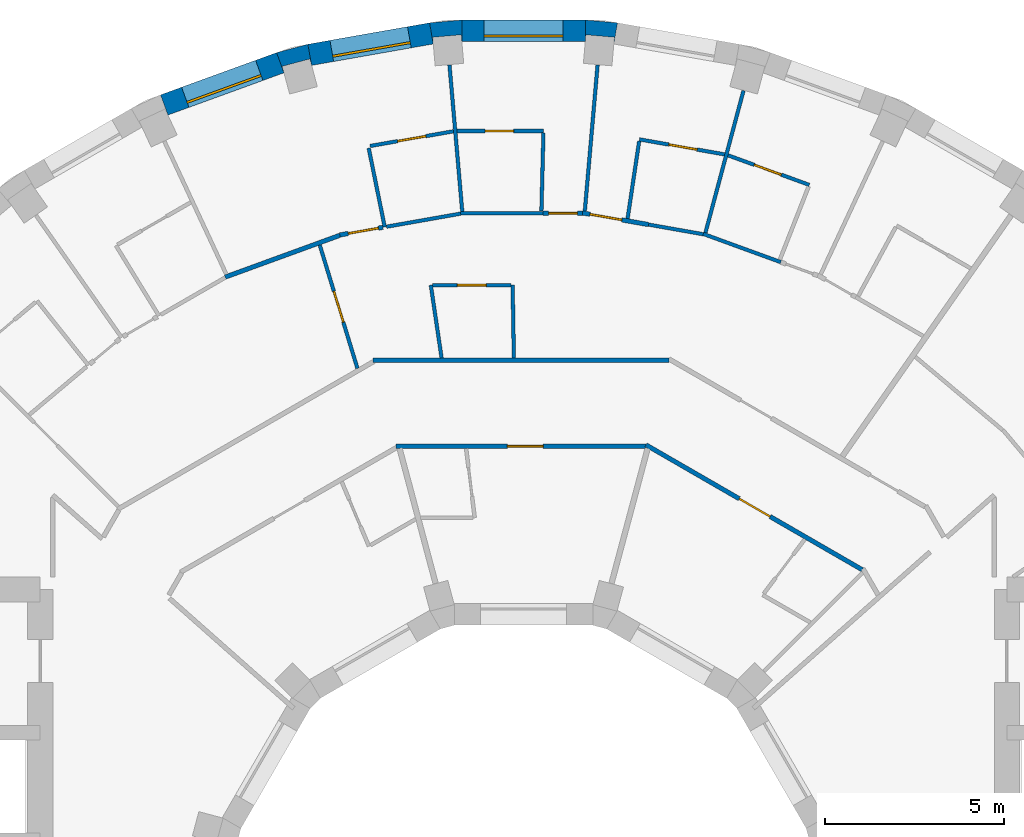
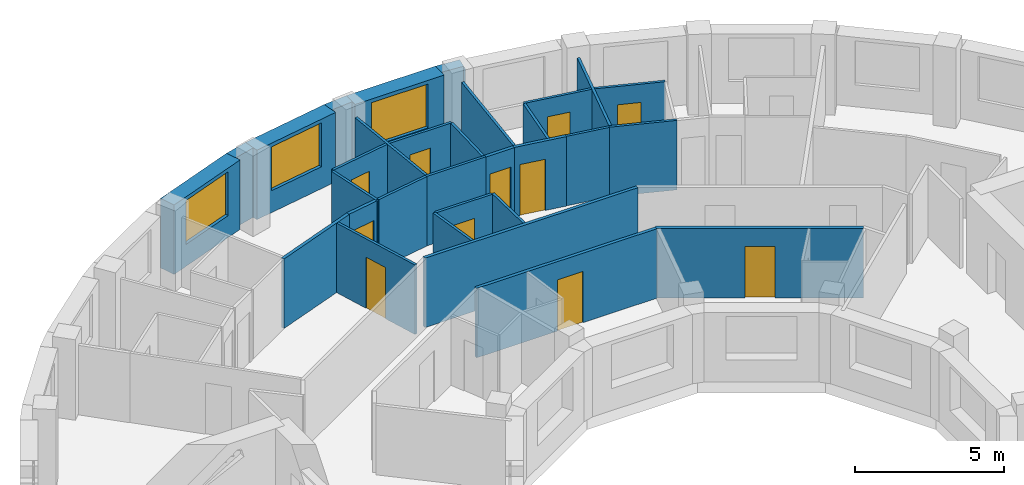
# One storey, part 12 of 15: 31 walls, 11 doors, 3 windows, 14 openings.
"""IFC4 building model written with IfcOpenShell, lengths in metres."""

from ifc_helpers import new_model, si_unit, direction, frame, frame_2d, origin, place, context, subcontext, project, spatial, polyline, rectangle, outline, extrude, material, layer, layer_set, type_object, element, fill, save


model = new_model("IFC4")

# Units and contexts
model_context = context("Model", 3, precision=1e-05, world=origin(), true_north=direction((0.0, 1.0)))
body_context = subcontext(model_context, "Body", "Model", "MODEL_VIEW")
ifc_project = project(units=[si_unit("LENGTHUNIT", "METRE"), si_unit("AREAUNIT", "SQUARE_METRE"), si_unit("VOLUMEUNIT", "CUBIC_METRE"), si_unit("PLANEANGLEUNIT", "RADIAN"), si_unit("MASSUNIT", "GRAM", prefix="KILO")], contexts=[model_context])

# Site, building, storey
site_placement = place(None, origin())
site = spatial("IfcSite", under=ifc_project, at=site_placement, CompositionType="ELEMENT")
building_placement = place(site_placement, origin())
building = spatial("IfcBuilding", under=site, at=building_placement, Name="Saqina Gate Tower", CompositionType="ELEMENT")
storey_placement = place(building_placement, frame((0.0, 0.0, 160.800048828125)))
storey = spatial("IfcBuildingStorey", under=building, at=storey_placement, Name="L45", CompositionType="ELEMENT", Elevation=160.800048828125)

# Walls
ifc_material_1 = material(Name="Brick masonry (buff)", Category="masonry")
wall_type_1 = type_object("IfcWallType", Name="BRICK PIER COPING BUFF", PredefinedType="SOLIDWALL", material=ifc_material_1)
wall_1_placement = place(storey_placement, origin())
element("IfcWall", 1, at=wall_1_placement, inside=storey, type_object=wall_type_1, Name="Pier cap L45 column 9", PredefinedType="SOLIDWALL", context=body_context, shape_type="SweptSolid", body=[
    extrude(outline(polyline([(2.6259765625, 24.825927734375), (1.724853515625, 24.90478515625), (1.724853515625, 24.304931640625), (1.7412109375, 24.491455078125), (2.5380859375, 24.421630859375), (2.521728515625, 24.235107421875), (2.6259765625, 24.825927734375)])), origin(), (0.0, 0.0, 1.0), 2.849853515625),
])
wall_2_placement = place(storey_placement, origin())
element("IfcWall", 2, at=wall_2_placement, inside=storey, type_object=wall_type_1, Name="Pier cap L45 column 10", PredefinedType="SOLIDWALL", context=body_context, shape_type="SweptSolid", body=[
    extrude(outline(polyline([(-1.724853515625, 24.90478515625), (-2.6259765625, 24.825927734375), (-2.521728515625, 24.235107421875), (-2.5380859375, 24.421630859375), (-1.7412109375, 24.491455078125), (-1.724853515625, 24.304931640625), (-1.724853515625, 24.90478515625)])), origin(), (0.0, 0.0, 1.0), 2.849853515625),
])
wall_3_placement = place(storey_placement, origin())
element("IfcWall", 3, at=wall_3_placement, inside=storey, type_object=wall_type_1, Name="Pier cap L45 column 11", PredefinedType="SOLIDWALL", context=body_context, shape_type="SweptSolid", body=[
    extrude(outline(polyline([(-6.0234375, 24.22705078125), (-6.897216796875, 23.992919921875), (-6.69189453125, 23.428955078125), (-6.740478515625, 23.610107421875), (-5.967529296875, 23.81689453125), (-5.919189453125, 23.635986328125), (-6.0234375, 24.22705078125)])), origin(), (0.0, 0.0, 1.0), 2.849853515625),
])

# Wall, opening, window
ifc_material_2 = material(Name="Brick masonry (buff)", Category="masonry")
ifc_layer_1 = layer(ifc_material_2, 0.60009765625)
ifc_layer_set_1 = layer_set([ifc_layer_1], Name="FW-BRICK-BUFF")
wall_type_2 = type_object("IfcWallType", Name="FW-BRICK-BUFF", PredefinedType="SOLIDWALL", material=ifc_layer_set_1)
wall_4_placement = place(storey_placement, frame((1.724853515625, 24.60498046875, 0.0), z_axis=(0.0, 0.0, 1.0), x_axis=(-1.0, 0.0, 0.0)))
wall_4 = element("IfcWall", 4, at=wall_4_placement, inside=storey, type_object=wall_type_2, Name="Facade wall L45 facet 9", PredefinedType="SOLIDWALL", context=body_context, shape_type="SweptSolid", body=[
    extrude(rectangle(XDim=3.44970703125, YDim=0.60009765625, at=frame_2d((1.724853515625, 0.0))), origin(), (0.0, 0.0, 1.0), 2.849853515625),
])
opening_1_placement = place(wall_4_placement, frame((0.625, 0.0, 0.89990234375)))
opening_1 = element("IfcOpeningElement", 5, at=opening_1_placement, cuts=wall_4, Name="Opening G13-W07", PredefinedType="OPENING", context=body_context, shape_type="SweptSolid", body=[
    extrude(rectangle(XDim=2.199951171875, YDim=1.800048828125, at=frame_2d((1.10009765625, 0.89990234375))), frame((0.0, 0.31201171875, 0.0), z_axis=(0.0, -1.0, 0.0), x_axis=(1.0, 0.0, 0.0)), (0.0, 0.0, 1.0), 0.6240234375),
])
ifc_material_3 = material(Name="Aluminium glazing", Category="aluminium")
window_type = type_object("IfcWindowType", Name="WN-C", PartitioningType="SINGLE_PANEL", PredefinedType="WINDOW", material=ifc_material_3)
window_1_placement = place(opening_1_placement, origin())
window_1 = element("IfcWindow", 6, at=window_1_placement, inside=storey, type_object=window_type, Name="Window L45 facet 9", OverallHeight=1.800048828125, OverallWidth=2.199951171875, PartitioningType="SINGLE_PANEL", PredefinedType="WINDOW", context=body_context, shape_type="SweptSolid", body=[
    extrude(rectangle(XDim=2.199951171875, YDim=1.800048828125, at=frame_2d((1.10009765625, 0.89990234375))), frame((0.0, 0.179931640625, 0.0), z_axis=(0.0, -1.0, 0.0), x_axis=(1.0, 0.0, 0.0)), (0.0, 0.0, 1.0), 0.06005859375),
])
fill(opening_1, window_1)

wall_5_placement = place(storey_placement, frame((-2.573974609375, 24.530517578125, 0.0), z_axis=(0.0, 0.0, 1.0), x_axis=(-0.984814892183, -0.173607684551, 0.0)))
wall_5 = element("IfcWall", 7, at=wall_5_placement, inside=storey, type_object=wall_type_2, Name="Facade wall L45 facet 10", PredefinedType="SOLIDWALL", context=body_context, shape_type="SweptSolid", body=[
    extrude(rectangle(XDim=3.44970703125, YDim=0.60009765625, at=frame_2d((1.724853515625, 0.0))), origin(), (0.0, 0.0, 1.0), 2.849853515625),
])
opening_2_placement = place(wall_5_placement, frame((0.625, 0.0, 0.89990234375)))
opening_2 = element("IfcOpeningElement", 8, at=opening_2_placement, cuts=wall_5, Name="Opening G13-W08", PredefinedType="OPENING", context=body_context, shape_type="SweptSolid", body=[
    extrude(rectangle(XDim=2.199951171875, YDim=1.800048828125, at=frame_2d((1.10009765625, 0.89990234375))), frame((0.0, 0.31201171875, 0.0), z_axis=(0.0, -1.0, 0.0), x_axis=(1.0, 0.0, 0.0)), (0.0, 0.0, 1.0), 0.6240234375),
])
window_2_placement = place(opening_2_placement, origin())
window_2 = element("IfcWindow", 9, at=window_2_placement, inside=storey, type_object=window_type, Name="Window L45 facet 10", OverallHeight=1.800048828125, OverallWidth=2.199951171875, PartitioningType="SINGLE_PANEL", PredefinedType="WINDOW", context=body_context, shape_type="SweptSolid", body=[
    extrude(rectangle(XDim=2.199951171875, YDim=1.800048828125, at=frame_2d((1.10009765625, 0.89990234375))), frame((0.0, 0.179931640625, 0.0), z_axis=(0.0, -1.0, 0.0), x_axis=(1.0, 0.0, 0.0)), (0.0, 0.0, 1.0), 0.06005859375),
])
fill(opening_2, window_2)

wall_6_placement = place(storey_placement, frame((-6.79443359375, 23.7109375, 0.0), z_axis=(0.0, 0.0, 1.0), x_axis=(-0.93968799822, -0.342032843455, 0.0)))
wall_6 = element("IfcWall", 10, at=wall_6_placement, inside=storey, type_object=wall_type_2, Name="Facade wall L45 facet 11", PredefinedType="SOLIDWALL", context=body_context, shape_type="SweptSolid", body=[
    extrude(rectangle(XDim=3.44970703125, YDim=0.60009765625, at=frame_2d((1.724853515625, 0.0))), origin(), (0.0, 0.0, 1.0), 2.849853515625),
])
opening_3_placement = place(wall_6_placement, frame((0.625, 0.0, 0.89990234375)))
opening_3 = element("IfcOpeningElement", 11, at=opening_3_placement, cuts=wall_6, Name="Opening G13-W09", PredefinedType="OPENING", context=body_context, shape_type="SweptSolid", body=[
    extrude(rectangle(XDim=2.199951171875, YDim=1.800048828125, at=frame_2d((1.10009765625, 0.89990234375))), frame((0.0, 0.31201171875, 0.0), z_axis=(0.0, -1.0, 0.0), x_axis=(1.0, 0.0, 0.0)), (0.0, 0.0, 1.0), 0.6240234375),
])
window_3_placement = place(opening_3_placement, origin())
window_3 = element("IfcWindow", 12, at=window_3_placement, inside=storey, type_object=window_type, Name="Window L45 facet 11", OverallHeight=1.800048828125, OverallWidth=2.199951171875, PartitioningType="SINGLE_PANEL", PredefinedType="WINDOW", context=body_context, shape_type="SweptSolid", body=[
    extrude(rectangle(XDim=2.199951171875, YDim=1.800048828125, at=frame_2d((1.10009765625, 0.89990234375))), frame((0.0, 0.179931640625, 0.0), z_axis=(0.0, -1.0, 0.0), x_axis=(1.0, 0.0, 0.0)), (0.0, 0.0, 1.0), 0.06005859375),
])
fill(opening_3, window_3)

# Walls
ifc_material_4 = material(Name="Gypsum board on steel studs, 100 mm", Category="steel")
ifc_layer_2 = layer(ifc_material_4, 0.10009765625)
ifc_layer_set_2 = layer_set([ifc_layer_2], Name="PARTITION 100")
wall_type_3 = type_object("IfcWallType", Name="PARTITION 100", PredefinedType="PARTITIONING", material=ifc_layer_set_2)
wall_7_placement = place(storey_placement, frame((-0.304931640625, 17.5, 0.0), z_axis=(0.0, 0.0, 1.0), x_axis=(0.017131441911, -0.999853246081, 0.0)))
element("IfcWall", 13, at=wall_7_placement, inside=storey, type_object=wall_type_3, Name="PARTITION PW3-01", PredefinedType="PARTITIONING", context=body_context, shape_type="SweptSolid", body=[
    extrude(rectangle(XDim=2.037841796875, YDim=0.10009765625, at=frame_2d((1.01904296875, 0.0))), origin(), (0.0, 0.0, 1.0), 2.849853515625),
])
wall_8_placement = place(storey_placement, frame((-2.06884765625, 23.649658203125, 0.0), z_axis=(0.0, 0.0, 1.0), x_axis=(0.086893599578, -0.996217597893, 0.0)))
element("IfcWall", 14, at=wall_8_placement, inside=storey, type_object=wall_type_3, Name="PARTITION PW3-03", PredefinedType="PARTITIONING", context=body_context, shape_type="SweptSolid", body=[
    extrude(rectangle(XDim=4.110595703125, YDim=0.10009765625, at=frame_2d((2.05517578125, 0.0))), origin(), (0.0, 0.0, 1.0), 2.849853515625),
])
wall_9_placement = place(storey_placement, frame((-2.590087890625, 17.5, 0.0), z_axis=(0.0, 0.0, 1.0), x_axis=(0.146578722253, -0.989199008381, 0.0)))
element("IfcWall", 15, at=wall_9_placement, inside=storey, type_object=wall_type_3, Name="PARTITION PW3-05", PredefinedType="PARTITIONING", context=body_context, shape_type="SweptSolid", body=[
    extrude(rectangle(XDim=2.060302734375, YDim=0.10009765625, at=frame_2d((1.0302734375, 0.0))), origin(), (0.0, 0.0, 1.0), 2.849853515625),
])
wall_10_placement = place(storey_placement, frame((-4.324951171875, 21.326904296875, 0.0), z_axis=(0.0, 0.0, 1.0), x_axis=(0.199120171805, -0.979975079877, 0.0)))
element("IfcWall", 16, at=wall_10_placement, inside=storey, type_object=wall_type_3, Name="PARTITION PW3-06", PredefinedType="PARTITIONING", context=body_context, shape_type="SweptSolid", body=[
    extrude(rectangle(XDim=2.25, YDim=0.10009765625, at=frame_2d((1.125, 0.0))), origin(), (0.0, 0.0, 1.0), 2.849853515625),
])

# Wall, opening, door
wall_11_placement = place(storey_placement, frame((-5.691650390625, 18.6181640625, 0.0), z_axis=(0.0, 0.0, 1.0), x_axis=(0.292189255633, -0.956360517218, 0.0)))
wall_11 = element("IfcWall", 17, at=wall_11_placement, inside=storey, type_object=wall_type_3, Name="PARTITION PW3-07", PredefinedType="PARTITIONING", context=body_context, shape_type="SweptSolid", body=[
    extrude(rectangle(XDim=3.601318359375, YDim=0.10009765625, at=frame_2d((1.80078125, 0.0))), origin(), (0.0, 0.0, 1.0), 2.849853515625),
])
opening_4_placement = place(wall_11_placement, frame((1.350830078125, 0.0, 0.0)))
opening_4 = element("IfcOpeningElement", 18, at=opening_4_placement, cuts=wall_11, Name="Opening G13-D19", PredefinedType="OPENING", context=body_context, shape_type="SweptSolid", body=[
    extrude(rectangle(XDim=0.89990234375, YDim=2.10009765625, at=frame_2d((0.449951171875, 1.050048828125))), frame((0.0, 0.06201171875, 0.0), z_axis=(0.0, -1.0, 0.0), x_axis=(1.0, 0.0, 0.0)), (0.0, 0.0, 1.0), 0.1240234375),
])
ifc_material_5 = material(Name="Timber door leaf, 900 mm", Category="wood")
door_type_1 = type_object("IfcDoorType", Name="DOOR 900 TIMBER", OperationType="SINGLE_SWING_LEFT", PredefinedType="DOOR", material=ifc_material_5)
door_1_placement = place(opening_4_placement, origin())
door_1 = element("IfcDoor", 19, at=door_1_placement, inside=storey, type_object=door_type_1, Name="DOOR G13-D19", OperationType="SINGLE_SWING_RIGHT", OverallHeight=2.10009765625, OverallWidth=0.89990234375, PredefinedType="DOOR", context=body_context, shape_type="SweptSolid", body=[
    extrude(rectangle(XDim=0.89990234375, YDim=2.10009765625, at=frame_2d((0.449951171875, 1.050048828125))), frame((0.0, 0.02490234375, 0.0), z_axis=(0.0, -1.0, 0.0), x_axis=(1.0, 0.0, 0.0)), (0.0, 0.0, 1.0), 0.050048828125),
])
fill(opening_4, door_1)

# Wall
wall_12_placement = place(storey_placement, frame((5.020263671875, 18.929443359375, 0.0), z_axis=(0.0, 0.0, 1.0), x_axis=(0.939651079277, -0.342134256123, 0.0)))
element("IfcWall", 20, at=wall_12_placement, inside=storey, type_object=wall_type_3, Name="PARTITION PW3-28", PredefinedType="PARTITIONING", context=body_context, shape_type="SweptSolid", body=[
    extrude(rectangle(XDim=2.304931640625, YDim=0.10009765625, at=frame_2d((1.15234375, 0.0))), origin(), (0.0, 0.0, 1.0), 2.849853515625),
])

# Wall, opening, door
wall_13_placement = place(storey_placement, frame((5.7119140625, 21.125, 0.0), z_axis=(0.0, 0.0, 1.0), x_axis=(0.939684150909, -0.342043413226, 0.0)))
wall_13 = element("IfcWall", 21, at=wall_13_placement, inside=storey, type_object=wall_type_3, Name="PARTITION PW3-29", PredefinedType="PARTITIONING", context=body_context, shape_type="SweptSolid", body=[
    extrude(rectangle(XDim=2.414794921875, YDim=0.10009765625, at=frame_2d((1.20751953125, 0.0))), origin(), (0.0, 0.0, 1.0), 2.849853515625),
])
opening_5_placement = place(wall_13_placement, frame((0.7822265625, 0.0, 0.0)))
opening_5 = element("IfcOpeningElement", 22, at=opening_5_placement, cuts=wall_13, Name="Opening G13-D09", PredefinedType="OPENING", context=body_context, shape_type="SweptSolid", body=[
    extrude(rectangle(XDim=0.800048828125, YDim=2.10009765625, at=frame_2d((0.39990234375, 1.050048828125))), frame((0.0, 0.06201171875, 0.0), z_axis=(0.0, -1.0, 0.0), x_axis=(1.0, 0.0, 0.0)), (0.0, 0.0, 1.0), 0.1240234375),
])
ifc_material_6 = material(Name="Timber door leaf, 800 mm", Category="wood")
door_type_2 = type_object("IfcDoorType", Name="DOOR 800 TIMBER", OperationType="SINGLE_SWING_LEFT", PredefinedType="DOOR", material=ifc_material_6)
door_2_placement = place(opening_5_placement, origin())
door_2 = element("IfcDoor", 23, at=door_2_placement, inside=storey, type_object=door_type_2, Name="DOOR G13-D09", OperationType="SINGLE_SWING_LEFT", OverallHeight=2.10009765625, OverallWidth=0.800048828125, PredefinedType="DOOR", context=body_context, shape_type="SweptSolid", body=[
    extrude(rectangle(XDim=0.800048828125, YDim=2.10009765625, at=frame_2d((0.39990234375, 1.050048828125))), frame((0.0, 0.02490234375, 0.0), z_axis=(0.0, -1.0, 0.0), x_axis=(1.0, 0.0, 0.0)), (0.0, 0.0, 1.0), 0.050048828125),
])
fill(opening_5, door_2)

# Wall
wall_14_placement = place(storey_placement, frame((3.49365234375, 19.189697265625, 0.0), z_axis=(0.0, 0.0, 1.0), x_axis=(0.984794665863, -0.173722382228, 0.0)))
element("IfcWall", 24, at=wall_14_placement, inside=storey, type_object=wall_type_3, Name="PARTITION PW3-31", PredefinedType="PARTITIONING", context=body_context, shape_type="SweptSolid", body=[
    extrude(rectangle(XDim=1.548583984375, YDim=0.10009765625, at=frame_2d((0.7744140625, 0.0))), origin(), (0.0, 0.0, 1.0), 2.849853515625),
])

# Wall, opening, door
wall_15_placement = place(storey_placement, frame((3.238037109375, 21.570068359375, 0.0), z_axis=(0.0, 0.0, 1.0), x_axis=(0.984794754479, -0.173721879884, 0.0)))
wall_15 = element("IfcWall", 25, at=wall_15_placement, inside=storey, type_object=wall_type_3, Name="PARTITION PW3-32", PredefinedType="PARTITIONING", context=body_context, shape_type="SweptSolid", body=[
    extrude(rectangle(XDim=2.414306640625, YDim=0.10009765625, at=frame_2d((1.20703125, 0.0))), origin(), (0.0, 0.0, 1.0), 2.849853515625),
])
opening_6_placement = place(wall_15_placement, frame((0.832275390625, 0.0, 0.0)))
opening_6 = element("IfcOpeningElement", 26, at=opening_6_placement, cuts=wall_15, Name="Opening G13-D10", PredefinedType="OPENING", context=body_context, shape_type="SweptSolid", body=[
    extrude(rectangle(XDim=0.800048828125, YDim=2.10009765625, at=frame_2d((0.39990234375, 1.050048828125))), frame((0.0, 0.06201171875, 0.0), z_axis=(0.0, -1.0, 0.0), x_axis=(1.0, 0.0, 0.0)), (0.0, 0.0, 1.0), 0.1240234375),
])
door_3_placement = place(opening_6_placement, origin())
door_3 = element("IfcDoor", 27, at=door_3_placement, inside=storey, type_object=door_type_2, Name="DOOR G13-D10", OperationType="SINGLE_SWING_RIGHT", OverallHeight=2.10009765625, OverallWidth=0.800048828125, PredefinedType="DOOR", context=body_context, shape_type="SweptSolid", body=[
    extrude(rectangle(XDim=0.800048828125, YDim=2.10009765625, at=frame_2d((0.39990234375, 1.050048828125))), frame((0.0, 0.02490234375, 0.0), z_axis=(0.0, -1.0, 0.0), x_axis=(1.0, 0.0, 0.0)), (0.0, 0.0, 1.0), 0.050048828125),
])
fill(opening_6, door_3)

wall_16_placement = place(storey_placement, frame((-2.5400390625, 17.5, 0.0), z_axis=(0.0, 0.0, 1.0), x_axis=(1.0, 0.0, 0.0)))
wall_16 = element("IfcWall", 28, at=wall_16_placement, inside=storey, type_object=wall_type_3, Name="PARTITION PW3-35", PredefinedType="PARTITIONING", context=body_context, shape_type="SweptSolid", body=[
    extrude(rectangle(XDim=2.18505859375, YDim=0.10009765625, at=frame_2d((1.092529296875, 0.0))), origin(), (0.0, 0.0, 1.0), 2.849853515625),
])
opening_7_placement = place(wall_16_placement, frame((0.6923828125, 0.0, 0.0)))
opening_7 = element("IfcOpeningElement", 29, at=opening_7_placement, cuts=wall_16, Name="Opening G13-D15", PredefinedType="OPENING", context=body_context, shape_type="SweptSolid", body=[
    extrude(rectangle(XDim=0.800048828125, YDim=2.10009765625, at=frame_2d((0.39990234375, 1.050048828125))), frame((0.0, 0.06201171875, 0.0), z_axis=(0.0, -1.0, 0.0), x_axis=(1.0, 0.0, 0.0)), (0.0, 0.0, 1.0), 0.1240234375),
])
door_4_placement = place(opening_7_placement, origin())
door_4 = element("IfcDoor", 30, at=door_4_placement, inside=storey, type_object=door_type_2, Name="DOOR G13-D15", OperationType="SINGLE_SWING_RIGHT", OverallHeight=2.10009765625, OverallWidth=0.800048828125, PredefinedType="DOOR", context=body_context, shape_type="SweptSolid", body=[
    extrude(rectangle(XDim=0.800048828125, YDim=2.10009765625, at=frame_2d((0.39990234375, 1.050048828125))), frame((0.0, 0.02490234375, 0.0), z_axis=(0.0, -1.0, 0.0), x_axis=(1.0, 0.0, 0.0)), (0.0, 0.0, 1.0), 0.050048828125),
])
fill(opening_7, door_4)

# Wall
wall_17_placement = place(storey_placement, frame((-1.7568359375, 19.5048828125, 0.0), z_axis=(0.0, 0.0, 1.0), x_axis=(1.0, 0.0, 0.0)))
element("IfcWall", 31, at=wall_17_placement, inside=storey, type_object=wall_type_3, Name="PARTITION PW3-36", PredefinedType="PARTITIONING", context=body_context, shape_type="SweptSolid", body=[
    extrude(rectangle(XDim=2.304931640625, YDim=0.10009765625, at=frame_2d((1.15234375, 0.0))), origin(), (0.0, 0.0, 1.0), 2.849853515625),
])

# Wall, opening, door
wall_18_placement = place(storey_placement, frame((-1.85791015625, 21.804931640625, 0.0), z_axis=(0.0, 0.0, 1.0), x_axis=(1.0, 0.0, 0.0)))
wall_18 = element("IfcWall", 32, at=wall_18_placement, inside=storey, type_object=wall_type_3, Name="PARTITION PW3-37", PredefinedType="PARTITIONING", context=body_context, shape_type="SweptSolid", body=[
    extrude(rectangle(XDim=2.414794921875, YDim=0.10009765625, at=frame_2d((1.20751953125, 0.0))), origin(), (0.0, 0.0, 1.0), 2.849853515625),
])
opening_8_placement = place(wall_18_placement, frame((0.782470703125, 0.0, 0.0)))
opening_8 = element("IfcOpeningElement", 33, at=opening_8_placement, cuts=wall_18, Name="Opening G13-D14", PredefinedType="OPENING", context=body_context, shape_type="SweptSolid", body=[
    extrude(rectangle(XDim=0.800048828125, YDim=2.10009765625, at=frame_2d((0.39990234375, 1.050048828125))), frame((0.0, 0.06201171875, 0.0), z_axis=(0.0, -1.0, 0.0), x_axis=(1.0, 0.0, 0.0)), (0.0, 0.0, 1.0), 0.1240234375),
])
door_5_placement = place(opening_8_placement, origin())
door_5 = element("IfcDoor", 34, at=door_5_placement, inside=storey, type_object=door_type_2, Name="DOOR G13-D14", OperationType="SINGLE_SWING_LEFT", OverallHeight=2.10009765625, OverallWidth=0.800048828125, PredefinedType="DOOR", context=body_context, shape_type="SweptSolid", body=[
    extrude(rectangle(XDim=0.800048828125, YDim=2.10009765625, at=frame_2d((0.39990234375, 1.050048828125))), frame((0.0, 0.02490234375, 0.0), z_axis=(0.0, -1.0, 0.0), x_axis=(1.0, 0.0, 0.0)), (0.0, 0.0, 1.0), 0.050048828125),
])
fill(opening_8, door_5)

# Wall
wall_19_placement = place(storey_placement, frame((-3.827880859375, 19.130615234375, 0.0), z_axis=(0.0, 0.0, 1.0), x_axis=(0.984788229358, 0.173758865439, 0.0)))
element("IfcWall", 35, at=wall_19_placement, inside=storey, type_object=wall_type_3, Name="PARTITION PW3-39", PredefinedType="PARTITIONING", context=body_context, shape_type="SweptSolid", body=[
    extrude(rectangle(XDim=2.104736328125, YDim=0.10009765625, at=frame_2d((1.05224609375, 0.0))), origin(), (0.0, 0.0, 1.0), 2.849853515625),
])

# Wall, opening, door
wall_20_placement = place(storey_placement, frame((-4.28564453125, 21.38525390625, 0.0), z_axis=(0.0, 0.0, 1.0), x_axis=(0.984765882157, 0.173885471904, 0.0)))
wall_20 = element("IfcWall", 36, at=wall_20_placement, inside=storey, type_object=wall_type_3, Name="PARTITION PW3-40", PredefinedType="PARTITIONING", context=body_context, shape_type="SweptSolid", body=[
    extrude(rectangle(XDim=2.364501953125, YDim=0.10009765625, at=frame_2d((1.18212890625, 0.0))), origin(), (0.0, 0.0, 1.0), 2.849853515625),
])
opening_9_placement = place(wall_20_placement, frame((0.78271484375, 0.0, 0.0)))
opening_9 = element("IfcOpeningElement", 37, at=opening_9_placement, cuts=wall_20, Name="Opening G13-D17", PredefinedType="OPENING", context=body_context, shape_type="SweptSolid", body=[
    extrude(rectangle(XDim=0.800048828125, YDim=2.10009765625, at=frame_2d((0.39990234375, 1.050048828125))), frame((0.0, 0.06201171875, 0.0), z_axis=(0.0, -1.0, 0.0), x_axis=(1.0, 0.0, 0.0)), (0.0, 0.0, 1.0), 0.1240234375),
])
door_6_placement = place(opening_9_placement, origin())
door_6 = element("IfcDoor", 38, at=door_6_placement, inside=storey, type_object=door_type_2, Name="DOOR G13-D17", OperationType="SINGLE_SWING_RIGHT", OverallHeight=2.10009765625, OverallWidth=0.800048828125, PredefinedType="DOOR", context=body_context, shape_type="SweptSolid", body=[
    extrude(rectangle(XDim=0.800048828125, YDim=2.10009765625, at=frame_2d((0.39990234375, 1.050048828125))), frame((0.0, 0.02490234375, 0.0), z_axis=(0.0, -1.0, 0.0), x_axis=(1.0, 0.0, 0.0)), (0.0, 0.0, 1.0), 0.050048828125),
])
fill(opening_9, door_6)

# Walls
wall_21_placement = place(storey_placement, frame((5.080810546875, 18.960205078125, 0.0), z_axis=(0.0, 0.0, 1.0), x_axis=(0.258642078309, 0.965973227025, 0.0)))
element("IfcWall", 39, at=wall_21_placement, inside=storey, type_object=wall_type_3, Name="PARTITION PW3-60", PredefinedType="PARTITIONING", context=body_context, shape_type="SweptSolid", body=[
    extrude(rectangle(XDim=4.11083984375, YDim=0.10009765625, at=frame_2d((2.055419921875, 0.0))), origin(), (0.0, 0.0, 1.0), 2.849853515625),
])
wall_22_placement = place(storey_placement, frame((2.90625, 19.356689453125, 0.0), z_axis=(0.0, 0.0, 1.0), x_axis=(0.148182215979, 0.988960075467, 0.0)))
element("IfcWall", 40, at=wall_22_placement, inside=storey, type_object=wall_type_3, Name="PARTITION PW3-61", PredefinedType="PARTITIONING", context=body_context, shape_type="SweptSolid", body=[
    extrude(rectangle(XDim=2.18798828125, YDim=0.10009765625, at=frame_2d((1.093994140625, 0.0))), origin(), (0.0, 0.0, 1.0), 2.849853515625),
])
wall_23_placement = place(storey_placement, frame((1.71142578125, 19.5673828125, 0.0), z_axis=(0.0, 0.0, 1.0), x_axis=(0.087161776864, 0.996194170157, 0.0)))
element("IfcWall", 41, at=wall_23_placement, inside=storey, type_object=wall_type_3, Name="PARTITION PW3-64", PredefinedType="PARTITIONING", context=body_context, shape_type="SweptSolid", body=[
    extrude(rectangle(XDim=4.097900390625, YDim=0.10009765625, at=frame_2d((2.048828125, 0.0))), origin(), (0.0, 0.0, 1.0), 2.849853515625),
])
wall_24_placement = place(storey_placement, frame((0.49951171875, 19.5673828125, 0.0), z_axis=(0.0, 0.0, 1.0), x_axis=(0.025658328011, 0.999670770906, 0.0)))
element("IfcWall", 42, at=wall_24_placement, inside=storey, type_object=wall_type_3, Name="PARTITION PW3-65", PredefinedType="PARTITIONING", context=body_context, shape_type="SweptSolid", body=[
    extrude(rectangle(XDim=2.1884765625, YDim=0.10009765625, at=frame_2d((1.09423828125, 0.0))), origin(), (0.0, 0.0, 1.0), 2.849853515625),
])

# Wall, opening, door
ifc_material_7 = material(Name="Gypsum board on steel studs, 125 mm, fire rated", Category="steel")
ifc_layer_3 = layer(ifc_material_7, 0.125)
ifc_layer_set_3 = layer_set([ifc_layer_3], Name="PARTITION EI 30 125")
wall_type_4 = type_object("IfcWallType", Name="PARTITION EI 30 125", PredefinedType="PARTITIONING", material=ifc_layer_set_3)
wall_25_placement = place(storey_placement, frame((3.42041015625, 13.0361328125, 0.0), z_axis=(0.0, 0.0, 1.0), x_axis=(0.866077207726, -0.499910262205, 0.0)))
wall_25 = element("IfcWall", 43, at=wall_25_placement, inside=storey, type_object=wall_type_4, Name="PARTITION PW1-12", PredefinedType="PARTITIONING", context=body_context, shape_type="SweptSolid", body=[
    extrude(rectangle(XDim=6.976806640625, YDim=0.125, at=frame_2d((3.48828125, 0.0))), origin(), (0.0, 0.0, 1.0), 2.849853515625),
])
opening_10_placement = place(wall_25_placement, frame((3.0048828125, 0.0, 0.0)))
opening_10 = element("IfcOpeningElement", 44, at=opening_10_placement, cuts=wall_25, Name="Opening G13-D05", PredefinedType="OPENING", context=body_context, shape_type="SweptSolid", body=[
    extrude(rectangle(XDim=1.0, YDim=2.10009765625, at=frame_2d((0.5, 1.050048828125))), frame((0.0, 0.074462890625, 0.0), z_axis=(0.0, -1.0, 0.0), x_axis=(1.0, 0.0, 0.0)), (0.0, 0.0, 1.0), 0.14892578125),
])
ifc_material_8 = material(Name="Fire door leaf EI 30, 1000 mm")
door_type_3 = type_object("IfcDoorType", Name="DOOR 1000 EI 30", OperationType="SINGLE_SWING_LEFT", PredefinedType="DOOR", material=ifc_material_8)
door_7_placement = place(opening_10_placement, frame((1.0, 0.0, 0.0), z_axis=(0.0, 0.0, 1.0), x_axis=(-1.0, 0.0, 0.0)))
door_7 = element("IfcDoor", 45, at=door_7_placement, inside=storey, type_object=door_type_3, Name="DOOR G13-D05", OperationType="SINGLE_SWING_LEFT", OverallHeight=2.10009765625, OverallWidth=1.0, PredefinedType="DOOR", context=body_context, shape_type="SweptSolid", body=[
    extrude(rectangle(XDim=1.0, YDim=2.10009765625, at=frame_2d((0.5, 1.050048828125))), frame((0.0, 0.02490234375, 0.0), z_axis=(0.0, -1.0, 0.0), x_axis=(1.0, 0.0, 0.0)), (0.0, 0.0, 1.0), 0.050048828125),
])
fill(opening_10, door_7)

wall_26_placement = place(storey_placement, frame((1.6435546875, 19.51611328125, 0.0), z_axis=(0.0, 0.0, 1.0), x_axis=(0.984794021773, -0.173726033396, 0.0)))
wall_26 = element("IfcWall", 46, at=wall_26_placement, inside=storey, type_object=wall_type_4, Name="PARTITION PW1-16", PredefinedType="PARTITIONING", context=body_context, shape_type="SweptSolid", body=[
    extrude(rectangle(XDim=1.87890625, YDim=0.125, at=frame_2d((0.939453125, 0.0))), origin(), (0.0, 0.0, 1.0), 2.849853515625),
])
opening_11_placement = place(wall_26_placement, frame((0.21826171875, 0.0, 0.0)))
opening_11 = element("IfcOpeningElement", 47, at=opening_11_placement, cuts=wall_26, Name="Opening G13-D11", PredefinedType="OPENING", context=body_context, shape_type="SweptSolid", body=[
    extrude(rectangle(XDim=0.89990234375, YDim=2.10009765625, at=frame_2d((0.449951171875, 1.050048828125))), frame((0.0, 0.074462890625, 0.0), z_axis=(0.0, -1.0, 0.0), x_axis=(1.0, 0.0, 0.0)), (0.0, 0.0, 1.0), 0.14892578125),
])
ifc_material_9 = material(Name="Fire door leaf EI 30, 900 mm")
door_type_4 = type_object("IfcDoorType", Name="DOOR 900 EI 30", OperationType="SINGLE_SWING_LEFT", PredefinedType="DOOR", material=ifc_material_9)
door_8_placement = place(opening_11_placement, frame((0.89990234375, 0.0, 0.0), z_axis=(0.0, 0.0, 1.0), x_axis=(-1.0, 0.0, 0.0)))
door_8 = element("IfcDoor", 48, at=door_8_placement, inside=storey, type_object=door_type_4, Name="DOOR G13-D11", OperationType="SINGLE_SWING_RIGHT", OverallHeight=2.10009765625, OverallWidth=0.89990234375, PredefinedType="DOOR", context=body_context, shape_type="SweptSolid", body=[
    extrude(rectangle(XDim=0.89990234375, YDim=2.10009765625, at=frame_2d((0.449951171875, 1.050048828125))), frame((0.0, 0.02490234375, 0.0), z_axis=(0.0, -1.0, 0.0), x_axis=(1.0, 0.0, 0.0)), (0.0, 0.0, 1.0), 0.050048828125),
])
fill(opening_11, door_8)

wall_27_placement = place(storey_placement, frame((-3.569580078125, 13.0, 0.0), z_axis=(0.0, 0.0, 1.0), x_axis=(1.0, 0.0, 0.0)))
wall_27 = element("IfcWall", 49, at=wall_27_placement, inside=storey, type_object=wall_type_4, Name="PARTITION PW1-19", PredefinedType="PARTITIONING", context=body_context, shape_type="SweptSolid", body=[
    extrude(rectangle(XDim=6.989990234375, YDim=0.125, at=frame_2d((3.4951171875, 0.0))), origin(), (0.0, 0.0, 1.0), 2.849853515625),
])
opening_12_placement = place(wall_27_placement, frame((3.1201171875, 0.0, 0.0)))
opening_12 = element("IfcOpeningElement", 50, at=opening_12_placement, cuts=wall_27, Name="Opening G13-D13", PredefinedType="OPENING", context=body_context, shape_type="SweptSolid", body=[
    extrude(rectangle(XDim=1.0, YDim=2.10009765625, at=frame_2d((0.5, 1.050048828125))), frame((0.0, 0.074462890625, 0.0), z_axis=(0.0, -1.0, 0.0), x_axis=(1.0, 0.0, 0.0)), (0.0, 0.0, 1.0), 0.14892578125),
])
door_9_placement = place(opening_12_placement, frame((1.0, 0.0, 0.0), z_axis=(0.0, 0.0, 1.0), x_axis=(-1.0, 0.0, 0.0)))
door_9 = element("IfcDoor", 51, at=door_9_placement, inside=storey, type_object=door_type_3, Name="DOOR G13-D13", OperationType="SINGLE_SWING_LEFT", OverallHeight=2.10009765625, OverallWidth=1.0, PredefinedType="DOOR", context=body_context, shape_type="SweptSolid", body=[
    extrude(rectangle(XDim=1.0, YDim=2.10009765625, at=frame_2d((0.5, 1.050048828125))), frame((0.0, 0.02490234375, 0.0), z_axis=(0.0, -1.0, 0.0), x_axis=(1.0, 0.0, 0.0)), (0.0, 0.0, 1.0), 0.050048828125),
])
fill(opening_12, door_9)

# Wall
wall_28_placement = place(storey_placement, frame((-4.1982421875, 15.39990234375, 0.0), z_axis=(0.0, 0.0, 1.0), x_axis=(1.0, 0.0, 0.0)))
element("IfcWall", 52, at=wall_28_placement, inside=storey, type_object=wall_type_4, Name="PARTITION PW1-20", PredefinedType="PARTITIONING", context=body_context, shape_type="SweptSolid", body=[
    extrude(rectangle(XDim=8.26171875, YDim=0.125, at=frame_2d((4.130859375, 0.0))), origin(), (0.0, 0.0, 1.0), 2.849853515625),
])

# Wall, opening, door
wall_29_placement = place(storey_placement, frame((0.548095703125, 19.5048828125, 0.0), z_axis=(0.0, 0.0, 1.0), x_axis=(1.0, 0.0, 0.0)))
wall_29 = element("IfcWall", 53, at=wall_29_placement, inside=storey, type_object=wall_type_4, Name="PARTITION PW1-21", PredefinedType="PARTITIONING", context=body_context, shape_type="SweptSolid", body=[
    extrude(rectangle(XDim=1.095458984375, YDim=0.125, at=frame_2d((0.5478515625, 0.0))), origin(), (0.0, 0.0, 1.0), 2.849853515625),
])
opening_13_placement = place(wall_29_placement, frame((0.154052734375, 0.0, 0.0)))
opening_13 = element("IfcOpeningElement", 54, at=opening_13_placement, cuts=wall_29, Name="Opening G13-D12", PredefinedType="OPENING", context=body_context, shape_type="SweptSolid", body=[
    extrude(rectangle(XDim=0.800048828125, YDim=2.10009765625, at=frame_2d((0.39990234375, 1.050048828125))), frame((0.0, 0.074462890625, 0.0), z_axis=(0.0, -1.0, 0.0), x_axis=(1.0, 0.0, 0.0)), (0.0, 0.0, 1.0), 0.14892578125),
])
ifc_material_10 = material(Name="Fire door leaf EI 30, 800 mm")
door_type_5 = type_object("IfcDoorType", Name="DOOR 800 EI 30", OperationType="SINGLE_SWING_LEFT", PredefinedType="DOOR", material=ifc_material_10)
door_10_placement = place(opening_13_placement, frame((0.800048828125, 0.0, 0.0), z_axis=(0.0, 0.0, 1.0), x_axis=(-1.0, 0.0, 0.0)))
door_10 = element("IfcDoor", 55, at=door_10_placement, inside=storey, type_object=door_type_5, Name="DOOR G13-D12", OperationType="SINGLE_SWING_LEFT", OverallHeight=2.10009765625, OverallWidth=0.800048828125, PredefinedType="DOOR", context=body_context, shape_type="SweptSolid", body=[
    extrude(rectangle(XDim=0.800048828125, YDim=2.10009765625, at=frame_2d((0.39990234375, 1.050048828125))), frame((0.0, 0.02490234375, 0.0), z_axis=(0.0, -1.0, 0.0), x_axis=(1.0, 0.0, 0.0)), (0.0, 0.0, 1.0), 0.050048828125),
])
fill(opening_13, door_10)

wall_30_placement = place(storey_placement, frame((-5.130615234375, 18.90087890625, 0.0), z_axis=(0.0, 0.0, 1.0), x_axis=(0.984767477139, 0.173876438798, 0.0)))
wall_30 = element("IfcWall", 56, at=wall_30_placement, inside=storey, type_object=wall_type_4, Name="PARTITION PW1-22", PredefinedType="PARTITIONING", context=body_context, shape_type="SweptSolid", body=[
    extrude(rectangle(XDim=1.222900390625, YDim=0.125, at=frame_2d((0.611328125, 0.0))), origin(), (0.0, 0.0, 1.0), 2.849853515625),
])
opening_14_placement = place(wall_30_placement, frame((0.24267578125, 0.0, 0.0)))
opening_14 = element("IfcOpeningElement", 57, at=opening_14_placement, cuts=wall_30, Name="Opening G13-D18", PredefinedType="OPENING", context=body_context, shape_type="SweptSolid", body=[
    extrude(rectangle(XDim=0.85009765625, YDim=2.10009765625, at=frame_2d((0.425048828125, 1.050048828125))), frame((0.0, 0.074462890625, 0.0), z_axis=(0.0, -1.0, 0.0), x_axis=(1.0, 0.0, 0.0)), (0.0, 0.0, 1.0), 0.14892578125),
])
ifc_material_11 = material(Name="Fire door leaf EI 30, 850 mm")
door_type_6 = type_object("IfcDoorType", Name="DOOR 850 EI 30", OperationType="SINGLE_SWING_LEFT", PredefinedType="DOOR", material=ifc_material_11)
door_11_placement = place(opening_14_placement, frame((0.85009765625, 0.0, 0.0), z_axis=(0.0, 0.0, 1.0), x_axis=(-1.0, 0.0, 0.0)))
door_11 = element("IfcDoor", 58, at=door_11_placement, inside=storey, type_object=door_type_6, Name="DOOR G13-D18", OperationType="SINGLE_SWING_RIGHT", OverallHeight=2.10009765625, OverallWidth=0.85009765625, PredefinedType="DOOR", context=body_context, shape_type="SweptSolid", body=[
    extrude(rectangle(XDim=0.85009765625, YDim=2.10009765625, at=frame_2d((0.425048828125, 1.050048828125))), frame((0.0, 0.02490234375, 0.0), z_axis=(0.0, -1.0, 0.0), x_axis=(1.0, 0.0, 0.0)), (0.0, 0.0, 1.0), 0.050048828125),
])
fill(opening_14, door_11)

# Wall
wall_31_placement = place(storey_placement, frame((-8.334716796875, 17.723388671875, 0.0), z_axis=(0.0, 0.0, 1.0), x_axis=(0.939542594009, 0.342432057556, 0.0)))
element("IfcWall", 59, at=wall_31_placement, inside=storey, type_object=wall_type_4, Name="PARTITION PW1-23", PredefinedType="PARTITIONING", context=body_context, shape_type="SweptSolid", body=[
    extrude(rectangle(XDim=3.41357421875, YDim=0.125, at=frame_2d((1.706787109375, 0.0))), origin(), (0.0, 0.0, 1.0), 2.849853515625),
])

save(model, "model.ifc")
